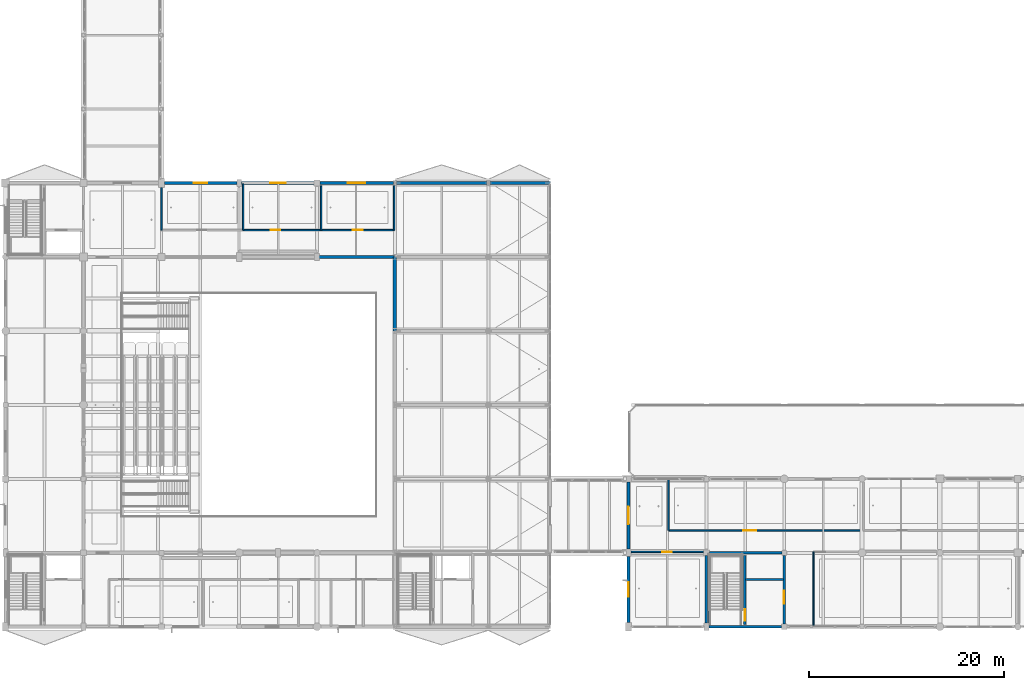
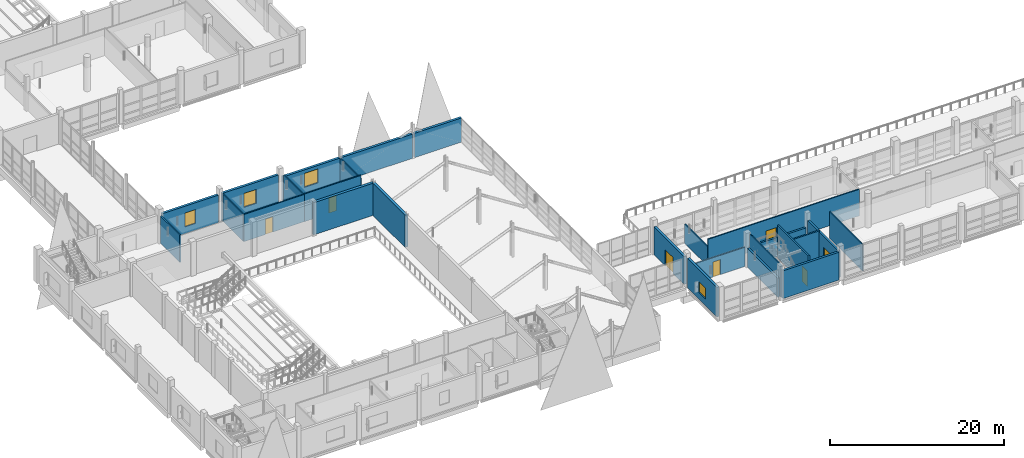
# One storey, part 87 of 147: 26 walls, 7 doors, 4 windows, 11 openings.
"""IFC4 building model written with IfcOpenShell, lengths in metres."""

from ifc_helpers import new_model, si_unit, direction, frame, frame_2d, origin, place, context, subcontext, project, spatial, rectangle, extrude, material, layer, layer_set, type_object, element, fill, save


model = new_model("IFC4")

# Units and contexts
model_context = context("Model", 3, precision=1e-05, world=origin(), true_north=direction((0.0, 1.0)))
body_context = subcontext(model_context, "Body", "Model", "MODEL_VIEW")
ifc_project = project(units=[si_unit("LENGTHUNIT", "METRE"), si_unit("AREAUNIT", "SQUARE_METRE"), si_unit("VOLUMEUNIT", "CUBIC_METRE"), si_unit("PLANEANGLEUNIT", "RADIAN"), si_unit("MASSUNIT", "GRAM", prefix="KILO")], contexts=[model_context])

# Site, building, storey
site_placement = place(None, origin())
site = spatial("IfcSite", under=ifc_project, at=site_placement, CompositionType="ELEMENT")
building_placement = place(site_placement, origin())
building = spatial("IfcBuilding", under=site, at=building_placement, Name="Khelvaren Railside Concert Hall", CompositionType="ELEMENT")
storey_placement = place(building_placement, frame((0.0, 0.0, 5.39990234375)))
storey = spatial("IfcBuildingStorey", under=building, at=storey_placement, Name="L01", CompositionType="ELEMENT", Elevation=5.39990234375)

# Walls
ifc_material_1 = material(Name="Concrete C40/50", Category="concrete")
ifc_layer_1 = layer(ifc_material_1, 0.139892578125)
ifc_layer_set_1 = layer_set([ifc_layer_1], Name="Concrete C40/50")
wall_type_1 = type_object("IfcWallType", Name="CW17", PredefinedType="SOLIDWALL", material=ifc_layer_set_1)
wall_1_placement = place(storey_placement, frame((72.27490234375, 0.14990234375, 0.0), z_axis=(0.0, 0.0, 1.0), x_axis=(0.0, 1.0, 0.0)))
element("IfcWall", 1, at=wall_1_placement, inside=storey, type_object=wall_type_1, Name="Core Shaft Structural Liner Wall ST-05-L01", PredefinedType="SOLIDWALL", context=body_context, shape_type="SweptSolid", body=[
    extrude(rectangle(XDim=7.300048828125, YDim=0.139892578125, at=frame_2d((3.64990234375, 0.0))), origin(), (0.0, 0.0, 1.0), 4.510009765625),
])
ifc_layer_2 = layer(ifc_material_1, 0.25)
ifc_layer_set_2 = layer_set([ifc_layer_2], Name="Concrete C40/50")
wall_type_2 = type_object("IfcWallType", Name="CW82", PredefinedType="SOLIDWALL", material=ifc_layer_set_2)
wall_2_placement = place(storey_placement, frame((72.0, 0.375, 0.0), z_axis=(0.0, 0.0, 1.0), x_axis=(0.0, 1.0, 0.0)))
element("IfcWall", 2, at=wall_2_placement, inside=storey, type_object=wall_type_2, Name="Core Enclosure Wall CWALL-ST-05-L01-W", PredefinedType="SOLIDWALL", context=body_context, shape_type="SweptSolid", body=[
    extrude(rectangle(XDim=6.925048828125, YDim=0.25, at=frame_2d((3.46240234375, 0.0))), origin(), (0.0, 0.0, 1.0), 2.690185546875),
])
wall_3_placement = place(storey_placement, frame((72.300048828125, 7.60009765625, 0.0), z_axis=(0.0, 0.0, 1.0), x_axis=(1.0, 0.0, 0.0)))
element("IfcWall", 3, at=wall_3_placement, inside=storey, type_object=wall_type_2, Name="Core Enclosure Wall CWALL-ST-05-L01-N", PredefinedType="SOLIDWALL", context=body_context, shape_type="SweptSolid", body=[
    extrude(rectangle(XDim=7.449951171875, YDim=0.25, at=frame_2d((3.72509765625, 0.0))), origin(), (0.0, 0.0, 1.0), 2.690185546875),
])

# Wall, opening, door
wall_4_placement = place(storey_placement, frame((80.0, 0.300048828125, 0.0), z_axis=(0.0, 0.0, 1.0), x_axis=(0.0, 1.0, 0.0)))
wall_4 = element("IfcWall", 4, at=wall_4_placement, inside=storey, type_object=wall_type_2, Name="Core Enclosure Wall CWALL-ST-05-L01-E", PredefinedType="SOLIDWALL", context=body_context, shape_type="SweptSolid", body=[
    extrude(rectangle(XDim=7.050048828125, YDim=0.25, at=frame_2d((3.52490234375, 0.0))), origin(), (0.0, 0.0, 1.0), 3.735107421875),
])
opening_1_placement = place(wall_4_placement, frame((2.050048828125, 0.0, 0.0)))
opening_1 = element("IfcOpeningElement", 5, at=opening_1_placement, cuts=wall_4, Name="Opening FDR34", PredefinedType="OPENING", context=body_context, shape_type="SweptSolid", body=[
    extrude(rectangle(XDim=1.35009765625, YDim=2.199951171875, at=frame_2d((0.675048828125, 1.10009765625))), frame((0.0, 0.135009765625, 0.0), z_axis=(0.0, -1.0, 0.0), x_axis=(1.0, 0.0, 0.0)), (0.0, 0.0, 1.0), 0.27001953125),
])
ifc_material_2 = material(Name="Acoustic fire-rated timber-core steel frame door", Category="steel")
door_type_1 = type_object("IfcDoorType", Name="FDR34", OperationType="NOTDEFINED", PredefinedType="DOOR", material=ifc_material_2)
door_1_placement = place(opening_1_placement, origin())
door_1 = element("IfcDoor", 6, at=door_1_placement, inside=storey, type_object=door_type_1, Name="Interior Door DR-ST-05-L01-LOB", OperationType="SINGLE_SWING_LEFT", OverallHeight=2.199951171875, OverallWidth=1.35009765625, PredefinedType="DOOR", context=body_context, shape_type="SweptSolid", body=[
    extrude(rectangle(XDim=1.35009765625, YDim=2.199951171875, at=frame_2d((0.675048828125, 1.10009765625))), frame((0.0, 0.02490234375, 0.0), z_axis=(0.0, -1.0, 0.0), x_axis=(1.0, 0.0, 0.0)), (0.0, 0.0, 1.0), 0.050048828125),
])
fill(opening_1, door_1)

ifc_layer_3 = layer(ifc_material_1, 0.219970703125)
ifc_layer_set_3 = layer_set([ifc_layer_3], Name="Concrete C40/50")
wall_type_3 = type_object("IfcWallType", Name="CW97", PredefinedType="SOLIDWALL", material=ifc_layer_set_3)
wall_5_placement = place(storey_placement, frame((75.949951171875, 0.25, 0.0), z_axis=(0.0, 0.0, 1.0), x_axis=(0.0, 1.0, 0.0)))
wall_5 = element("IfcWall", 7, at=wall_5_placement, inside=storey, type_object=wall_type_3, Name="Core Enclosure Wall CWALL-ST-05-L01-MID", PredefinedType="SOLIDWALL", context=body_context, shape_type="SweptSolid", body=[
    extrude(rectangle(XDim=7.10009765625, YDim=0.219970703125, at=frame_2d((3.550048828125, 0.0))), origin(), (0.0, 0.0, 1.0), 4.510009765625),
])
opening_2_placement = place(wall_5_placement, frame((0.35009765625, 0.0, 0.0)))
opening_2 = element("IfcOpeningElement", 8, at=opening_2_placement, cuts=wall_5, Name="Opening FDR17", PredefinedType="OPENING", context=body_context, shape_type="SweptSolid", body=[
    extrude(rectangle(XDim=1.199951171875, YDim=2.14990234375, at=frame_2d((0.60009765625, 1.074951171875))), frame((0.0, 0.119873046875, 0.0), z_axis=(0.0, -1.0, 0.0), x_axis=(1.0, 0.0, 0.0)), (0.0, 0.0, 1.0), 0.239990234375),
])
door_type_2 = type_object("IfcDoorType", Name="FDR17", OperationType="NOTDEFINED", PredefinedType="DOOR", material=ifc_material_2)
door_2_placement = place(opening_2_placement, origin())
door_2 = element("IfcDoor", 9, at=door_2_placement, inside=storey, type_object=door_type_2, Name="Interior Door DR-ST-05-L01-ST", OperationType="SINGLE_SWING_RIGHT", OverallHeight=2.14990234375, OverallWidth=1.199951171875, PredefinedType="DOOR", context=body_context, shape_type="SweptSolid", body=[
    extrude(rectangle(XDim=1.199951171875, YDim=2.14990234375, at=frame_2d((0.60009765625, 1.074951171875))), frame((0.0, 0.02490234375, 0.0), z_axis=(0.0, -1.0, 0.0), x_axis=(1.0, 0.0, 0.0)), (0.0, 0.0, 1.0), 0.050048828125),
])
fill(opening_2, door_2)

# Wall
wall_6_placement = place(storey_placement, frame((76.02001953125, 4.85009765625, 0.0), z_axis=(0.0, 0.0, 1.0), x_axis=(1.0, 0.0, 0.0)))
element("IfcWall", 10, at=wall_6_placement, inside=storey, type_object=wall_type_3, Name="Core Enclosure Wall CWALL-ST-05-L01-SHF", PredefinedType="SOLIDWALL", context=body_context, shape_type="SweptSolid", body=[
    extrude(rectangle(XDim=3.929931640625, YDim=0.219970703125, at=frame_2d((1.96484375, 0.0))), origin(), (0.0, 0.0, 1.0), 3.864990234375),
])

# Wall, opening, window
ifc_material_3 = material(Name="Board-marked architectural concrete C40/50", Category="concrete")
ifc_layer_4 = layer(ifc_material_3, 0.320068359375)
ifc_layer_set_4 = layer_set([ifc_layer_4], Name="Board-marked architectural concrete C40/50")
wall_type_4 = type_object("IfcWallType", Name="EW39", PredefinedType="SOLIDWALL", material=ifc_layer_set_4)
wall_7_placement = place(storey_placement, frame((16.300048828125, 45.60009765625, 0.0), z_axis=(0.0, 0.0, 1.0), x_axis=(1.0, 0.0, 0.0)))
wall_7 = element("IfcWall", 11, at=wall_7_placement, inside=storey, type_object=wall_type_4, Name="V1 L01 Exterior Concrete Wall N-16", PredefinedType="SOLIDWALL", context=body_context, shape_type="SweptSolid", body=[
    extrude(rectangle(XDim=7.449951171875, YDim=0.320068359375, at=frame_2d((3.72509765625, 0.0))), origin(), (0.0, 0.0, 1.0), 3.85009765625),
])
opening_3_placement = place(wall_7_placement, frame((3.02490234375, 0.0, 0.949951171875)))
opening_3 = element("IfcOpeningElement", 12, at=opening_3_placement, cuts=wall_7, Name="Opening WN97", PredefinedType="OPENING", context=body_context, shape_type="SweptSolid", body=[
    extrude(rectangle(XDim=1.39990234375, YDim=1.949951171875, at=frame_2d((0.699951171875, 0.97509765625))), frame((0.0, 0.169921875, 0.0), z_axis=(0.0, -1.0, 0.0), x_axis=(1.0, 0.0, 0.0)), (0.0, 0.0, 1.0), 0.340087890625),
])
ifc_material_4 = material(Name="Triple-glazed acoustic aluminium window", Category="aluminium")
window_type_1 = type_object("IfcWindowType", Name="WN97", PartitioningType="SINGLE_PANEL", PredefinedType="WINDOW", material=ifc_material_4)
window_1_placement = place(opening_3_placement, origin())
window_1 = element("IfcWindow", 13, at=window_1_placement, inside=storey, type_object=window_type_1, Name="Acoustic Facade Window EW-V1-L01-N-16", OverallHeight=1.949951171875, OverallWidth=1.39990234375, PartitioningType="SINGLE_PANEL", PredefinedType="WINDOW", context=body_context, shape_type="SweptSolid", body=[
    extrude(rectangle(XDim=1.39990234375, YDim=1.949951171875, at=frame_2d((0.699951171875, 0.97509765625))), frame((0.0, 0.030029296875, 0.0), z_axis=(0.0, -1.0, 0.0), x_axis=(1.0, 0.0, 0.0)), (0.0, 0.0, 1.0), 0.06005859375),
])
fill(opening_3, window_1)

wall_8_placement = place(storey_placement, frame((24.25, 45.60009765625, 0.0), z_axis=(0.0, 0.0, 1.0), x_axis=(1.0, 0.0, 0.0)))
wall_8 = element("IfcWall", 14, at=wall_8_placement, inside=storey, type_object=wall_type_4, Name="V1 L01 Exterior Concrete Wall N-24", PredefinedType="SOLIDWALL", context=body_context, shape_type="SweptSolid", body=[
    extrude(rectangle(XDim=7.449951171875, YDim=0.320068359375, at=frame_2d((3.72509765625, 0.0))), origin(), (0.0, 0.0, 1.0), 3.900146484375),
])
opening_4_placement = place(wall_8_placement, frame((2.925048828125, 0.0, 0.949951171875)))
opening_4 = element("IfcOpeningElement", 15, at=opening_4_placement, cuts=wall_8, Name="Opening WN94", PredefinedType="OPENING", context=body_context, shape_type="SweptSolid", body=[
    extrude(rectangle(XDim=1.60009765625, YDim=1.949951171875, at=frame_2d((0.800048828125, 0.97509765625))), frame((0.0, 0.169921875, 0.0), z_axis=(0.0, -1.0, 0.0), x_axis=(1.0, 0.0, 0.0)), (0.0, 0.0, 1.0), 0.340087890625),
])
window_type_2 = type_object("IfcWindowType", Name="WN94", PartitioningType="SINGLE_PANEL", PredefinedType="WINDOW", material=ifc_material_4)
window_2_placement = place(opening_4_placement, origin())
window_2 = element("IfcWindow", 16, at=window_2_placement, inside=storey, type_object=window_type_2, Name="Acoustic Facade Window EW-V1-L01-N-24", OverallHeight=1.949951171875, OverallWidth=1.60009765625, PartitioningType="SINGLE_PANEL", PredefinedType="WINDOW", context=body_context, shape_type="SweptSolid", body=[
    extrude(rectangle(XDim=1.60009765625, YDim=1.949951171875, at=frame_2d((0.800048828125, 0.97509765625))), frame((0.0, 0.030029296875, 0.0), z_axis=(0.0, -1.0, 0.0), x_axis=(1.0, 0.0, 0.0)), (0.0, 0.0, 1.0), 0.06005859375),
])
fill(opening_4, window_2)

wall_9_placement = place(storey_placement, frame((32.300048828125, 45.60009765625, 0.0), z_axis=(0.0, 0.0, 1.0), x_axis=(1.0, 0.0, 0.0)))
wall_9 = element("IfcWall", 17, at=wall_9_placement, inside=storey, type_object=wall_type_4, Name="V1 L01 Exterior Concrete Wall N-32", PredefinedType="SOLIDWALL", context=body_context, shape_type="SweptSolid", body=[
    extrude(rectangle(XDim=7.550048828125, YDim=0.320068359375, at=frame_2d((3.77490234375, 0.0))), origin(), (0.0, 0.0, 1.0), 3.400146484375),
])
opening_5_placement = place(wall_9_placement, frame((2.875, 0.0, 0.949951171875)))
opening_5 = element("IfcOpeningElement", 18, at=opening_5_placement, cuts=wall_9, Name="Opening WN45", PredefinedType="OPENING", context=body_context, shape_type="SweptSolid", body=[
    extrude(rectangle(XDim=1.800048828125, YDim=1.949951171875, at=frame_2d((0.89990234375, 0.97509765625))), frame((0.0, 0.169921875, 0.0), z_axis=(0.0, -1.0, 0.0), x_axis=(1.0, 0.0, 0.0)), (0.0, 0.0, 1.0), 0.340087890625),
])
window_type_3 = type_object("IfcWindowType", Name="WN45", PartitioningType="DOUBLE_PANEL_VERTICAL", PredefinedType="WINDOW", material=ifc_material_4)
window_3_placement = place(opening_5_placement, origin())
window_3 = element("IfcWindow", 19, at=window_3_placement, inside=storey, type_object=window_type_3, Name="Acoustic Facade Window EW-V1-L01-N-32", OverallHeight=1.949951171875, OverallWidth=1.800048828125, PartitioningType="DOUBLE_PANEL_VERTICAL", PredefinedType="WINDOW", context=body_context, shape_type="SweptSolid", body=[
    extrude(rectangle(XDim=1.800048828125, YDim=1.949951171875, at=frame_2d((0.89990234375, 0.97509765625))), frame((0.0, 0.030029296875, 0.0), z_axis=(0.0, -1.0, 0.0), x_axis=(1.0, 0.0, 0.0)), (0.0, 0.0, 1.0), 0.06005859375),
])
fill(opening_5, window_3)

# Walls
wall_10_placement = place(storey_placement, frame((40.14990234375, 45.60009765625, 0.0), z_axis=(0.0, 0.0, 1.0), x_axis=(1.0, 0.0, 0.0)))
element("IfcWall", 20, at=wall_10_placement, inside=storey, type_object=wall_type_4, Name="V1 L01 Exterior Concrete Wall N-40", PredefinedType="SOLIDWALL", context=body_context, shape_type="SweptSolid", body=[
    extrude(rectangle(XDim=9.300048828125, YDim=0.320068359375, at=frame_2d((4.64990234375, 0.0))), origin(), (0.0, 0.0, 1.0), 3.400146484375),
])
wall_11_placement = place(storey_placement, frame((49.75, 45.60009765625, 0.0), z_axis=(0.0, 0.0, 1.0), x_axis=(1.0, 0.0, 0.0)))
element("IfcWall", 21, at=wall_11_placement, inside=storey, type_object=wall_type_4, Name="V1 L01 Exterior Concrete Wall N-50", PredefinedType="SOLIDWALL", context=body_context, shape_type="SweptSolid", body=[
    extrude(rectangle(XDim=6.25, YDim=0.320068359375, at=frame_2d((3.125, 0.0))), origin(), (0.0, 0.0, 1.0), 3.400146484375),
])
ifc_layer_5 = layer(ifc_material_3, 0.2900390625)
ifc_layer_set_5 = layer_set([ifc_layer_5], Name="Board-marked architectural concrete C40/50")
wall_type_5 = type_object("IfcWallType", Name="EW77", PredefinedType="SOLIDWALL", material=ifc_layer_set_5)
wall_12_placement = place(storey_placement, frame((79.699951171875, 0.0, 0.0), z_axis=(0.0, 0.0, 1.0), x_axis=(-1.0, 0.0, 0.0)))
element("IfcWall", 22, at=wall_12_placement, inside=storey, type_object=wall_type_5, Name="V3 L01 Exterior Concrete Wall S-72", PredefinedType="SOLIDWALL", context=body_context, shape_type="SweptSolid", body=[
    extrude(rectangle(XDim=7.449951171875, YDim=0.2900390625, at=frame_2d((3.72509765625, 0.0))), origin(), (0.0, 0.0, 1.0), 3.900146484375),
])

# Wall, opening, window
wall_13_placement = place(storey_placement, frame((64.0, 0.449951171875, 0.0), z_axis=(0.0, 0.0, 1.0), x_axis=(0.0, 1.0, 0.0)))
wall_13 = element("IfcWall", 23, at=wall_13_placement, inside=storey, type_object=wall_type_5, Name="V3 L01 Exterior Concrete Wall W-0", PredefinedType="SOLIDWALL", context=body_context, shape_type="SweptSolid", body=[
    extrude(rectangle(XDim=6.775146484375, YDim=0.2900390625, at=frame_2d((3.3876953125, 0.0))), origin(), (0.0, 0.0, 1.0), 4.14013671875),
])
opening_6_placement = place(wall_13_placement, frame((2.637451171875, 0.0, 0.949951171875)))
opening_6 = element("IfcOpeningElement", 24, at=opening_6_placement, cuts=wall_13, Name="Opening WN83", PredefinedType="OPENING", context=body_context, shape_type="SweptSolid", body=[
    extrude(rectangle(XDim=1.5, YDim=1.5, at=frame_2d((0.75, 0.75))), frame((0.0, 0.155029296875, 0.0), z_axis=(0.0, -1.0, 0.0), x_axis=(1.0, 0.0, 0.0)), (0.0, 0.0, 1.0), 0.31005859375),
])
window_type_4 = type_object("IfcWindowType", Name="WN83", PartitioningType="SINGLE_PANEL", PredefinedType="WINDOW", material=ifc_material_4)
window_4_placement = place(opening_6_placement, origin())
window_4 = element("IfcWindow", 25, at=window_4_placement, inside=storey, type_object=window_type_4, Name="Acoustic Facade Window EW-V3-L01-W-0", OverallHeight=1.5, OverallWidth=1.5, PartitioningType="SINGLE_PANEL", PredefinedType="WINDOW", context=body_context, shape_type="SweptSolid", body=[
    extrude(rectangle(XDim=1.5, YDim=1.5, at=frame_2d((0.75, 0.75))), frame((0.0, 0.030029296875, 0.0), z_axis=(0.0, -1.0, 0.0), x_axis=(1.0, 0.0, 0.0)), (0.0, 0.0, 1.0), 0.06005859375),
])
fill(opening_6, window_4)

# Wall, opening, door
wall_14_placement = place(storey_placement, frame((64.0, 7.97509765625, 0.0), z_axis=(0.0, 0.0, 1.0), x_axis=(0.0, 1.0, 0.0)))
wall_14 = element("IfcWall", 26, at=wall_14_placement, inside=storey, type_object=wall_type_5, Name="V3 L01 Bridge Portal Wall W", PredefinedType="SOLIDWALL", context=body_context, shape_type="SweptSolid", body=[
    extrude(rectangle(XDim=6.9248046875, YDim=0.2900390625, at=frame_2d((3.46240234375, 0.0))), origin(), (0.0, 0.0, 1.0), 3.900146484375),
])
opening_7_placement = place(wall_14_placement, frame((2.5625, 0.0, 0.0)))
opening_7 = element("IfcOpeningElement", 27, at=opening_7_placement, cuts=wall_14, Name="Opening DR64", PredefinedType="OPENING", context=body_context, shape_type="SweptSolid", body=[
    extrude(rectangle(XDim=1.800048828125, YDim=2.25, at=frame_2d((0.89990234375, 1.125))), frame((0.0, 0.155029296875, 0.0), z_axis=(0.0, -1.0, 0.0), x_axis=(1.0, 0.0, 0.0)), (0.0, 0.0, 1.0), 0.31005859375),
])
ifc_material_5 = material(Name="Glazed fire-rated steel frame door", Category="steel")
door_type_3 = type_object("IfcDoorType", Name="DR64", OperationType="DOUBLE_DOOR_SINGLE_SWING", PredefinedType="DOOR", material=ifc_material_5)
door_3_placement = place(opening_7_placement, origin())
door_3 = element("IfcDoor", 28, at=door_3_placement, inside=storey, type_object=door_type_3, Name="V3 L01 Link Bridge Portal Door", OperationType="DOUBLE_DOOR_SINGLE_SWING", OverallHeight=2.25, OverallWidth=1.800048828125, PredefinedType="DOOR", context=body_context, shape_type="SweptSolid", body=[
    extrude(rectangle(XDim=1.800048828125, YDim=2.25, at=frame_2d((0.89990234375, 1.125))), frame((0.0, 0.02490234375, 0.0), z_axis=(0.0, -1.0, 0.0), x_axis=(1.0, 0.0, 0.0)), (0.0, 0.0, 1.0), 0.050048828125),
])
fill(opening_7, door_3)

ifc_material_6 = material(Name="Acoustic double-stud gypsum partition", Category="gypsum")
ifc_layer_6 = layer(ifc_material_6, 0.159912109375)
ifc_layer_set_6 = layer_set([ifc_layer_6], Name="Acoustic double-stud gypsum partition")
wall_type_6 = type_object("IfcWallType", Name="PT19", PredefinedType="PARTITIONING", material=ifc_layer_set_6)
wall_15_placement = place(storey_placement, frame((24.406982421875, 40.75, 0.0), z_axis=(0.0, 0.0, 1.0), x_axis=(1.0, 0.0, 0.0)))
wall_15 = element("IfcWall", 29, at=wall_15_placement, inside=storey, type_object=wall_type_6, Name="Acoustic Partition Wall PW-V1-L01-N1-C02", PredefinedType="PARTITIONING", context=body_context, shape_type="SweptSolid", body=[
    extrude(rectangle(XDim=8.007080078125, YDim=0.159912109375, at=frame_2d((4.00341796875, 0.0))), origin(), (0.0, 0.0, 1.0), 3.81005859375),
])
opening_8_placement = place(wall_15_placement, frame((2.8466796875, 0.0, 0.0)))
opening_8 = element("IfcOpeningElement", 30, at=opening_8_placement, cuts=wall_15, Name="Opening IDR67", PredefinedType="OPENING", context=body_context, shape_type="SweptSolid", body=[
    extrude(rectangle(XDim=0.97998046875, YDim=2.14990234375, at=frame_2d((0.489990234375, 1.074951171875))), frame((0.0, 0.08984375, 0.0), z_axis=(0.0, -1.0, 0.0), x_axis=(1.0, 0.0, 0.0)), (0.0, 0.0, 1.0), 0.179931640625),
])
ifc_material_7 = material(Name="Solid oak acoustic studio door", Category="wood")
door_type_4 = type_object("IfcDoorType", Name="IDR67", OperationType="NOTDEFINED", PredefinedType="DOOR", material=ifc_material_7)
door_4_placement = place(opening_8_placement, origin())
door_4 = element("IfcDoor", 31, at=door_4_placement, inside=storey, type_object=door_type_4, Name="Interior Door DR-V1-L01-N1-02", OperationType="SINGLE_SWING_RIGHT", OverallHeight=2.14990234375, OverallWidth=0.97998046875, PredefinedType="DOOR", context=body_context, shape_type="SweptSolid", body=[
    extrude(rectangle(XDim=0.97998046875, YDim=2.14990234375, at=frame_2d((0.489990234375, 1.074951171875))), frame((0.0, 0.02490234375, 0.0), z_axis=(0.0, -1.0, 0.0), x_axis=(1.0, 0.0, 0.0)), (0.0, 0.0, 1.0), 0.050048828125),
])
fill(opening_8, door_4)

wall_16_placement = place(storey_placement, frame((32.4140625, 40.75, 0.0), z_axis=(0.0, 0.0, 1.0), x_axis=(1.0, 0.0, 0.0)))
wall_16 = element("IfcWall", 32, at=wall_16_placement, inside=storey, type_object=wall_type_6, Name="Acoustic Partition Wall PW-V1-L01-N1-C03", PredefinedType="PARTITIONING", context=body_context, shape_type="SweptSolid", body=[
    extrude(rectangle(XDim=7.505859375, YDim=0.159912109375, at=frame_2d((3.7529296875, 0.0))), origin(), (0.0, 0.0, 1.0), 3.864990234375),
])
opening_9_placement = place(wall_16_placement, frame((3.2529296875, 0.0, 0.0)))
opening_9 = element("IfcOpeningElement", 33, at=opening_9_placement, cuts=wall_16, Name="Opening IDR24", PredefinedType="OPENING", context=body_context, shape_type="SweptSolid", body=[
    extrude(rectangle(XDim=1.0400390625, YDim=2.14990234375, at=frame_2d((0.52001953125, 1.074951171875))), frame((0.0, 0.08984375, 0.0), z_axis=(0.0, -1.0, 0.0), x_axis=(1.0, 0.0, 0.0)), (0.0, 0.0, 1.0), 0.179931640625),
])
door_type_5 = type_object("IfcDoorType", Name="IDR24", OperationType="NOTDEFINED", PredefinedType="DOOR", material=ifc_material_7)
door_5_placement = place(opening_9_placement, origin())
door_5 = element("IfcDoor", 34, at=door_5_placement, inside=storey, type_object=door_type_5, Name="Interior Door DR-V1-L01-N1-03", OperationType="SINGLE_SWING_LEFT", OverallHeight=2.14990234375, OverallWidth=1.0400390625, PredefinedType="DOOR", context=body_context, shape_type="SweptSolid", body=[
    extrude(rectangle(XDim=1.0400390625, YDim=2.14990234375, at=frame_2d((0.52001953125, 1.074951171875))), frame((0.0, 0.02490234375, 0.0), z_axis=(0.0, -1.0, 0.0), x_axis=(1.0, 0.0, 0.0)), (0.0, 0.0, 1.0), 0.050048828125),
])
fill(opening_9, door_5)

# Walls
wall_17_placement = place(storey_placement, frame((16.0, 40.75, 0.0), z_axis=(0.0, 0.0, 1.0), x_axis=(0.0, 1.0, 0.0)))
element("IfcWall", 35, at=wall_17_placement, inside=storey, type_object=wall_type_6, Name="Acoustic Partition Wall PW-V1-L01-N1-W0", PredefinedType="PARTITIONING", context=body_context, shape_type="SweptSolid", body=[
    extrude(rectangle(XDim=4.39990234375, YDim=0.159912109375, at=frame_2d((2.199951171875, 0.0))), origin(), (0.0, 0.0, 1.0), 3.835205078125),
])
wall_18_placement = place(storey_placement, frame((39.919921875, 40.75, 0.0), z_axis=(0.0, 0.0, 1.0), x_axis=(0.0, 1.0, 0.0)))
element("IfcWall", 36, at=wall_18_placement, inside=storey, type_object=wall_type_6, Name="Acoustic Partition Wall PW-V1-L01-N1-E0", PredefinedType="PARTITIONING", context=body_context, shape_type="SweptSolid", body=[
    extrude(rectangle(XDim=4.60009765625, YDim=0.159912109375, at=frame_2d((2.300048828125, 0.0))), origin(), (0.0, 0.0, 1.0), 3.400146484375),
])
ifc_layer_7 = layer(ifc_material_6, 0.139892578125)
ifc_layer_set_7 = layer_set([ifc_layer_7], Name="Acoustic double-stud gypsum partition")
wall_type_7 = type_object("IfcWallType", Name="PT41", PredefinedType="PARTITIONING", material=ifc_layer_set_7)
wall_19_placement = place(storey_placement, frame((24.406982421875, 40.75, 0.0), z_axis=(0.0, 0.0, 1.0), x_axis=(0.0, 1.0, 0.0)))
element("IfcWall", 37, at=wall_19_placement, inside=storey, type_object=wall_type_7, Name="Acoustic Partition Wall PW-V1-L01-N1-D01", PredefinedType="PARTITIONING", context=body_context, shape_type="SweptSolid", body=[
    extrude(rectangle(XDim=4.77001953125, YDim=0.139892578125, at=frame_2d((2.385009765625, 0.0))), origin(), (0.0, 0.0, 1.0), 3.81005859375),
])

# Wall, opening, door
ifc_layer_8 = layer(ifc_material_6, 0.139892578125)
ifc_layer_set_8 = layer_set([ifc_layer_8], Name="Acoustic double-stud gypsum partition")
wall_type_8 = type_object("IfcWallType", Name="PT55", PredefinedType="PARTITIONING", material=ifc_layer_set_8)
wall_20_placement = place(storey_placement, frame((64.25, 7.699951171875, 0.0), z_axis=(0.0, 0.0, 1.0), x_axis=(1.0, 0.0, 0.0)))
wall_20 = element("IfcWall", 38, at=wall_20_placement, inside=storey, type_object=wall_type_8, Name="Acoustic Partition Wall PW-V3-L01-SW-C01", PredefinedType="PARTITIONING", context=body_context, shape_type="SweptSolid", body=[
    extrude(rectangle(XDim=7.449951171875, YDim=0.139892578125, at=frame_2d((3.72509765625, 0.0))), origin(), (0.0, 0.0, 1.0), 2.690185546875),
])
opening_10_placement = place(wall_20_placement, frame((3.22509765625, 0.0, 0.0)))
opening_10 = element("IfcOpeningElement", 39, at=opening_10_placement, cuts=wall_20, Name="Opening IDR79", PredefinedType="OPENING", context=body_context, shape_type="SweptSolid", body=[
    extrude(rectangle(XDim=0.989990234375, YDim=2.10009765625, at=frame_2d((0.4951171875, 1.050048828125))), frame((0.0, 0.079833984375, 0.0), z_axis=(0.0, -1.0, 0.0), x_axis=(1.0, 0.0, 0.0)), (0.0, 0.0, 1.0), 0.159912109375),
])
door_type_6 = type_object("IfcDoorType", Name="IDR79", OperationType="NOTDEFINED", PredefinedType="DOOR", material=ifc_material_7)
door_6_placement = place(opening_10_placement, origin())
door_6 = element("IfcDoor", 40, at=door_6_placement, inside=storey, type_object=door_type_6, Name="Interior Door DR-V3-L01-SW-01", OperationType="SINGLE_SWING_RIGHT", OverallHeight=2.10009765625, OverallWidth=0.989990234375, PredefinedType="DOOR", context=body_context, shape_type="SweptSolid", body=[
    extrude(rectangle(XDim=0.989990234375, YDim=2.10009765625, at=frame_2d((0.4951171875, 1.050048828125))), frame((0.0, 0.02490234375, 0.0), z_axis=(0.0, -1.0, 0.0), x_axis=(1.0, 0.0, 0.0)), (0.0, 0.0, 1.0), 0.050048828125),
])
fill(opening_10, door_6)

# Wall
ifc_layer_9 = layer(ifc_material_6, 0.1298828125)
ifc_layer_set_9 = layer_set([ifc_layer_9], Name="Acoustic double-stud gypsum partition")
wall_type_9 = type_object("IfcWallType", Name="PT69", PredefinedType="PARTITIONING", material=ifc_layer_set_9)
wall_21_placement = place(storey_placement, frame((83.0, 0.080078125, 0.0), z_axis=(0.0, 0.0, 1.0), x_axis=(0.0, 1.0, 0.0)))
element("IfcWall", 41, at=wall_21_placement, inside=storey, type_object=wall_type_9, Name="Acoustic Partition Wall PW-V3-L01-S-W0", PredefinedType="PARTITIONING", context=body_context, shape_type="SweptSolid", body=[
    extrude(rectangle(XDim=7.619873046875, YDim=0.1298828125, at=frame_2d((3.81005859375, 0.0))), origin(), (0.0, 0.0, 1.0), 3.735107421875),
])

# Wall, opening, door
ifc_layer_10 = layer(ifc_material_6, 0.14990234375)
ifc_layer_set_10 = layer_set([ifc_layer_10], Name="Acoustic double-stud gypsum partition")
wall_type_10 = type_object("IfcWallType", Name="PT72", PredefinedType="PARTITIONING", material=ifc_layer_set_10)
wall_22_placement = place(storey_placement, frame((68.1201171875, 9.89990234375, 0.0), z_axis=(0.0, 0.0, 1.0), x_axis=(1.0, 0.0, 0.0)))
wall_22 = element("IfcWall", 42, at=wall_22_placement, inside=storey, type_object=wall_type_10, Name="Acoustic Partition Wall PW-V3-L01-N-C01", PredefinedType="PARTITIONING", context=body_context, shape_type="SweptSolid", body=[
    extrude(rectangle(XDim=20.018798828125, YDim=0.14990234375, at=frame_2d((10.00927734375, 0.0))), origin(), (0.0, 0.0, 1.0), 3.735107421875),
])
opening_11_placement = place(wall_22_placement, frame((7.651611328125, 0.0, 0.0)))
opening_11 = element("IfcOpeningElement", 43, at=opening_11_placement, cuts=wall_22, Name="Opening IDR82", PredefinedType="OPENING", context=body_context, shape_type="SweptSolid", body=[
    extrude(rectangle(XDim=1.3798828125, YDim=2.199951171875, at=frame_2d((0.68994140625, 1.10009765625))), frame((0.0, 0.0849609375, 0.0), z_axis=(0.0, -1.0, 0.0), x_axis=(1.0, 0.0, 0.0)), (0.0, 0.0, 1.0), 0.169921875),
])
door_type_7 = type_object("IfcDoorType", Name="IDR82", OperationType="NOTDEFINED", PredefinedType="DOOR", material=ifc_material_7)
door_7_placement = place(opening_11_placement, origin())
door_7 = element("IfcDoor", 44, at=door_7_placement, inside=storey, type_object=door_type_7, Name="Interior Door DR-V3-L01-N-01", OperationType="SINGLE_SWING_LEFT", OverallHeight=2.199951171875, OverallWidth=1.3798828125, PredefinedType="DOOR", context=body_context, shape_type="SweptSolid", body=[
    extrude(rectangle(XDim=1.3798828125, YDim=2.199951171875, at=frame_2d((0.68994140625, 1.10009765625))), frame((0.0, 0.02490234375, 0.0), z_axis=(0.0, -1.0, 0.0), x_axis=(1.0, 0.0, 0.0)), (0.0, 0.0, 1.0), 0.050048828125),
])
fill(opening_11, door_7)

# Walls
wall_23_placement = place(storey_placement, frame((68.1201171875, 9.89990234375, 0.0), z_axis=(0.0, 0.0, 1.0), x_axis=(0.0, 1.0, 0.0)))
element("IfcWall", 45, at=wall_23_placement, inside=storey, type_object=wall_type_10, Name="Acoustic Partition Wall PW-V3-L01-N-W0", PredefinedType="PARTITIONING", context=body_context, shape_type="SweptSolid", body=[
    extrude(rectangle(XDim=5.22021484375, YDim=0.14990234375, at=frame_2d((2.610107421875, 0.0))), origin(), (0.0, 0.0, 1.0), 2.690185546875),
])
ifc_layer_11 = layer(ifc_material_6, 0.159912109375)
ifc_layer_set_11 = layer_set([ifc_layer_11], Name="Acoustic double-stud gypsum partition")
wall_type_11 = type_object("IfcWallType", Name="PT97", PredefinedType="PARTITIONING", material=ifc_layer_set_11)
wall_24_placement = place(storey_placement, frame((32.4140625, 40.75, 0.0), z_axis=(0.0, 0.0, 1.0), x_axis=(0.0, 1.0, 0.0)))
element("IfcWall", 46, at=wall_24_placement, inside=storey, type_object=wall_type_11, Name="Acoustic Partition Wall PW-V1-L01-N1-D02", PredefinedType="PARTITIONING", context=body_context, shape_type="SweptSolid", body=[
    extrude(rectangle(XDim=4.550048828125, YDim=0.159912109375, at=frame_2d((2.27490234375, 0.0))), origin(), (0.0, 0.0, 1.0), 3.760009765625),
])
ifc_layer_12 = layer(ifc_material_1, 0.35009765625)
ifc_layer_set_12 = layer_set([ifc_layer_12], Name="Concrete C40/50")
wall_type_12 = type_object("IfcWallType", Name="SW91", PredefinedType="SHEAR", material=ifc_layer_set_12)
wall_25_placement = place(storey_placement, frame((32.0, 38.0, 0.0), z_axis=(0.0, 0.0, 1.0), x_axis=(1.0, 0.0, 0.0)))
element("IfcWall", 47, at=wall_25_placement, inside=storey, type_object=wall_type_12, Name="V1 Acoustic Box Shear Wall L01 N4", PredefinedType="SHEAR", context=body_context, shape_type="SweptSolid", body=[
    extrude(rectangle(XDim=8.0, YDim=0.35009765625, at=frame_2d((4.0, 0.0))), origin(), (0.0, 0.0, 1.0), 4.510009765625),
])
wall_26_placement = place(storey_placement, frame((40.0, 30.39990234375, 0.0), z_axis=(0.0, 0.0, 1.0), x_axis=(0.0, 1.0, 0.0)))
element("IfcWall", 48, at=wall_26_placement, inside=storey, type_object=wall_type_12, Name="V1 Acoustic Box Shear Wall L01 E4", PredefinedType="SHEAR", context=body_context, shape_type="SweptSolid", body=[
    extrude(rectangle(XDim=7.60009765625, YDim=0.35009765625, at=frame_2d((3.800048828125, 0.0))), origin(), (0.0, 0.0, 1.0), 4.510009765625),
])

save(model, "model.ifc")
